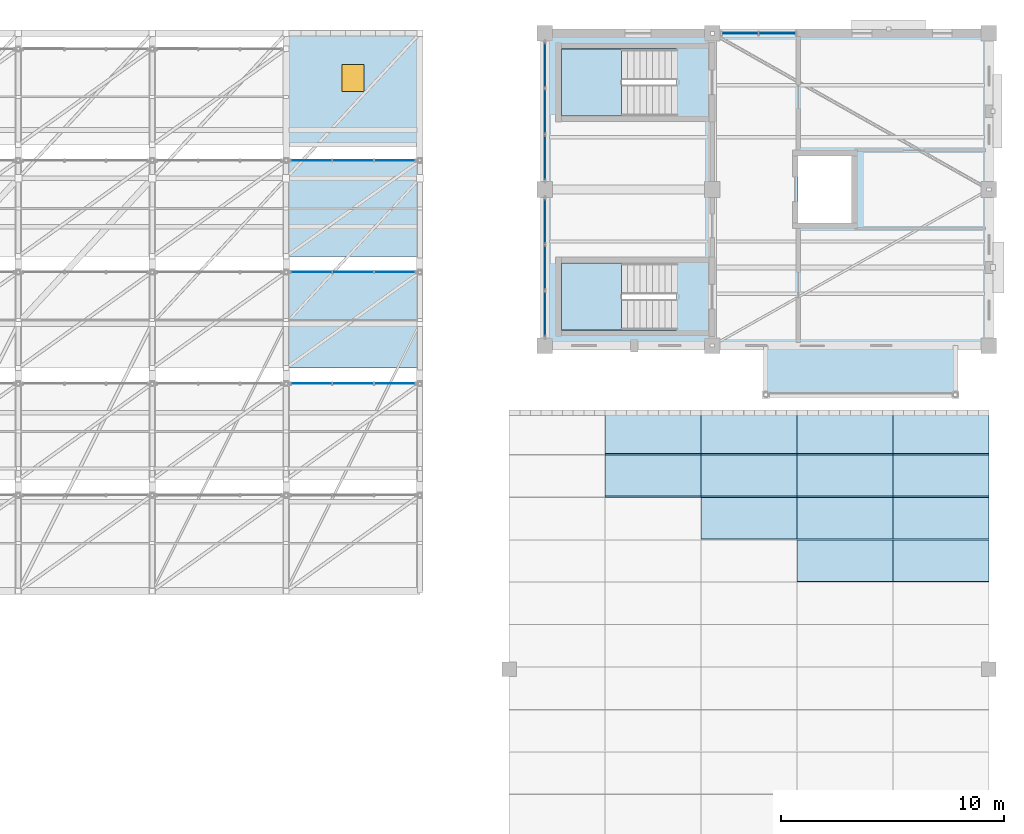
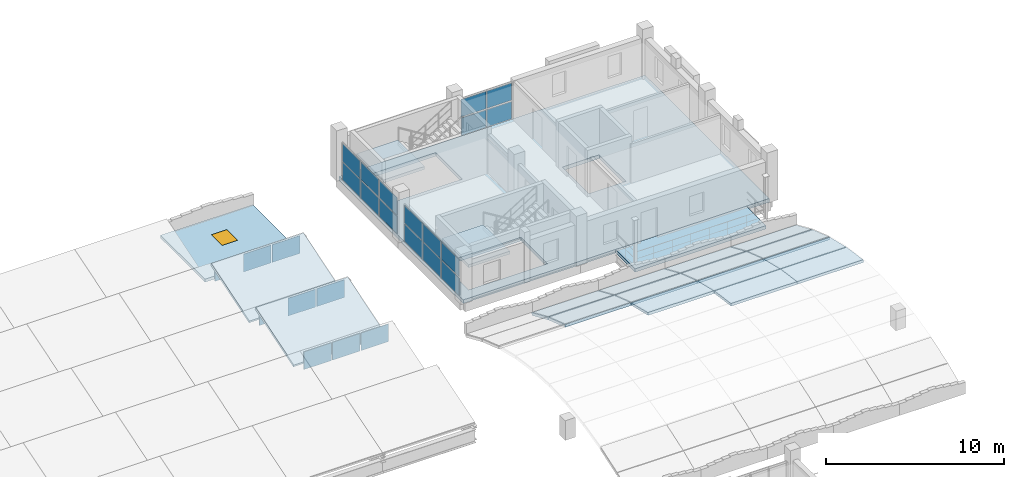
# One storey, part 29 of 48: 25 plates, 20 slabs, 1 window, 1 opening, 8 elements without a shape of their own.
"""IFC4 building model written with IfcOpenShell, lengths in metres."""

from ifc_helpers import new_model, si_unit, direction, frame, origin, origin_2d, place, context, subcontext, project, spatial, polyline, rectangle, outline, extrude, material, layer, layer_set, type_object, element, fill, aggregate, save


model = new_model("IFC4")

# Units and contexts
model_context = context("Model", 3, precision=1e-05, world=origin(), true_north=direction((0.0, 1.0)))
body_context = subcontext(model_context, "Body", "Model", "MODEL_VIEW")
ifc_project = project(units=[si_unit("LENGTHUNIT", "METRE"), si_unit("AREAUNIT", "SQUARE_METRE"), si_unit("VOLUMEUNIT", "CUBIC_METRE"), si_unit("PLANEANGLEUNIT", "RADIAN"), si_unit("MASSUNIT", "GRAM", prefix="KILO")], contexts=[model_context])

# Site, building, storey
site_placement = place(None, origin())
site = spatial("IfcSite", under=ifc_project, at=site_placement, CompositionType="ELEMENT")
building_placement = place(site_placement, origin())
building = spatial("IfcBuilding", under=site, at=building_placement, Name="Trellovar Central Fire Station", CompositionType="ELEMENT")
storey_placement = place(building_placement, frame((0.0, 0.0, 9.300048828125)))
storey = spatial("IfcBuildingStorey", under=building, at=storey_placement, Name="L03", CompositionType="ELEMENT", Elevation=9.300048828125)

# Curtain wall, plate
ifc_material_1 = material(Name="Thermally broken bronze anodized aluminum", Category="aluminium")
ifc_layer_1 = layer(ifc_material_1, 0.159912109375)
ifc_layer_set_1 = layer_set([ifc_layer_1], Name="Thermally broken bronze anodized aluminum")
curtain_wall_type_1 = type_object("IfcCurtainWallType", Name="CW-06", PredefinedType="NOTDEFINED", material=ifc_layer_set_1)
curtain_wall_1_placement = place(storey_placement, origin())
curtain_wall_1 = element("IfcCurtainWall", 1, at=curtain_wall_1_placement, inside=storey, type_object=curtain_wall_type_1, Name="V6 sawtooth north-light monitor 2-5", PredefinedType="NOTDEFINED")
ifc_material_2 = material(Name="Double low-E solar control insulated glazing", Category="glass")
ifc_layer_2 = layer(ifc_material_2, 0.031982421875)
ifc_layer_set_2 = layer_set([ifc_layer_2], Name="Double low-E solar control insulated glazing")
plate_type_1 = type_object("IfcPlateType", Name="CWP-GL1", PredefinedType="CURTAIN_PANEL", material=ifc_layer_set_2)
plate_1_placement = place(storey_placement, frame((134.36669921875, 57.300048828125, 0.2197265625), z_axis=(0.0, 0.0, 1.0), x_axis=(-1.0, 0.0, 0.0)))
plate_1 = element("IfcPlate", 2, at=plate_1_placement, type_object=plate_type_1, Name="CW3-L03-0140 panel 1-1", PredefinedType="CURTAIN_PANEL", context=body_context, shape_type="SweptSolid", body=[
    extrude(rectangle(XDim=1.78662109375, YDim=0.031982421875, at=origin_2d()), origin(), (0.0, 0.0, 1.0), 1.219970703125),
])

curtain_wall_2_placement = place(storey_placement, origin())
curtain_wall_2 = element("IfcCurtainWall", 3, at=curtain_wall_2_placement, inside=storey, type_object=curtain_wall_type_1, Name="V6 sawtooth north-light monitor 4-5", PredefinedType="NOTDEFINED")
plate_2_placement = place(storey_placement, frame((130.63330078125, 67.300048828125, 0.2197265625), z_axis=(0.0, 0.0, 1.0), x_axis=(-1.0, 0.0, 0.0)))
plate_2 = element("IfcPlate", 4, at=plate_2_placement, type_object=plate_type_1, Name="CW3-L03-0142 panel 3-1", PredefinedType="CURTAIN_PANEL", context=body_context, shape_type="SweptSolid", body=[
    extrude(rectangle(XDim=1.78662109375, YDim=0.031982421875, at=origin_2d()), origin(), (0.0, 0.0, 1.0), 1.219970703125),
])

ifc_material_3 = material(Name="Thermally broken bronze anodized aluminum", Category="aluminium")
ifc_layer_3 = layer(ifc_material_3, 0.159912109375)
ifc_layer_set_3 = layer_set([ifc_layer_3], Name="Thermally broken bronze anodized aluminum")
curtain_wall_type_2 = type_object("IfcCurtainWallType", Name="CW-08", PredefinedType="NOTDEFINED", material=ifc_layer_set_3)
curtain_wall_3_placement = place(storey_placement, origin())
curtain_wall_3 = element("IfcCurtainWall", 5, at=curtain_wall_3_placement, inside=storey, type_object=curtain_wall_type_2, Name="V2 L03 north lobby curtain wall", PredefinedType="NOTDEFINED")
plate_3_placement = place(storey_placement, frame((151.512451171875, 73.0, 1.31494140625), z_axis=(0.0, 0.0, 1.0), x_axis=(-1.0, 0.0, 0.0)))
plate_3 = element("IfcPlate", 6, at=plate_3_placement, type_object=plate_type_1, Name="CW3-L03-0159 panel 1-2", PredefinedType="CURTAIN_PANEL", context=body_context, shape_type="SweptSolid", body=[
    extrude(rectangle(XDim=1.594970703125, YDim=0.031982421875, at=origin_2d()), origin(), (0.0, 0.0, 1.0), 1.195068359375),
])

ifc_material_4 = material(Name="Thermally broken bronze anodized aluminum", Category="aluminium")
ifc_layer_4 = layer(ifc_material_4, 0.159912109375)
ifc_layer_set_4 = layer_set([ifc_layer_4], Name="Thermally broken bronze anodized aluminum")
curtain_wall_type_3 = type_object("IfcCurtainWallType", Name="CW-07", PredefinedType="NOTDEFINED", material=ifc_layer_set_4)
curtain_wall_4_placement = place(storey_placement, origin())
curtain_wall_4 = element("IfcCurtainWall", 7, at=curtain_wall_4_placement, inside=storey, type_object=curtain_wall_type_3, Name="V2 L03 west drill yard curtain wall", PredefinedType="NOTDEFINED")
plate_4_placement = place(storey_placement, frame((141.10009765625, 71.573486328125, 1.31494140625), z_axis=(0.0, 0.0, 1.0), x_axis=(0.0, 1.0, 0.0)))
plate_4 = element("IfcPlate", 8, at=plate_4_placement, type_object=plate_type_1, Name="CW3-L03-0161 panel 3-2", PredefinedType="CURTAIN_PANEL", context=body_context, shape_type="SweptSolid", body=[
    extrude(rectangle(XDim=1.993408203125, YDim=0.031982421875, at=origin_2d()), origin(), (0.0, 0.0, 1.0), 1.195068359375),
])

# Plate
ifc_material_5 = material(Name="Double low-E solar control insulated glazing", Category="glass")
ifc_layer_5 = layer(ifc_material_5, 0.035888671875)
ifc_layer_set_5 = layer_set([ifc_layer_5], Name="Double low-E solar control insulated glazing")
plate_type_2 = type_object("IfcPlateType", Name="CWP-GL2", PredefinedType="CURTAIN_PANEL", material=ifc_layer_set_5)
plate_5_placement = place(storey_placement, frame((132.5, 57.300048828125, 0.2197265625), z_axis=(0.0, 0.0, 1.0), x_axis=(-1.0, 0.0, 0.0)))
plate_5 = element("IfcPlate", 9, at=plate_5_placement, type_object=plate_type_2, Name="CW3-L03-0140 panel 2-1", PredefinedType="CURTAIN_PANEL", context=body_context, shape_type="SweptSolid", body=[
    extrude(rectangle(XDim=1.78662109375, YDim=0.035888671875, at=origin_2d()), origin(), (0.0, 0.0, 1.0), 1.219970703125),
])

# Curtain wall, plate
curtain_wall_5_placement = place(storey_placement, origin())
curtain_wall_5 = element("IfcCurtainWall", 10, at=curtain_wall_5_placement, inside=storey, type_object=curtain_wall_type_1, Name="V6 sawtooth north-light monitor 3-5", PredefinedType="NOTDEFINED")
plate_6_placement = place(storey_placement, frame((134.36669921875, 62.300048828125, 0.2197265625), z_axis=(0.0, 0.0, 1.0), x_axis=(-1.0, 0.0, 0.0)))
plate_6 = element("IfcPlate", 11, at=plate_6_placement, type_object=plate_type_2, Name="CW3-L03-0141 panel 1-1", PredefinedType="CURTAIN_PANEL", context=body_context, shape_type="SweptSolid", body=[
    extrude(rectangle(XDim=1.78662109375, YDim=0.035888671875, at=origin_2d()), origin(), (0.0, 0.0, 1.0), 1.219970703125),
])

# Plate
plate_7_placement = place(storey_placement, frame((149.83740234375, 73.0, 1.31494140625), z_axis=(0.0, 0.0, 1.0), x_axis=(-1.0, 0.0, 0.0)))
plate_7 = element("IfcPlate", 12, at=plate_7_placement, type_object=plate_type_2, Name="CW3-L03-0159 panel 2-2", PredefinedType="CURTAIN_PANEL", context=body_context, shape_type="SweptSolid", body=[
    extrude(rectangle(XDim=1.594970703125, YDim=0.035888671875, at=origin_2d()), origin(), (0.0, 0.0, 1.0), 1.195068359375),
])

# Curtain wall, plate
curtain_wall_6_placement = place(storey_placement, origin())
curtain_wall_6 = element("IfcCurtainWall", 13, at=curtain_wall_6_placement, inside=storey, type_object=curtain_wall_type_3, Name="V2 L03 west drill yard curtain wall", PredefinedType="NOTDEFINED")
plate_8_placement = place(storey_placement, frame((141.10009765625, 60.4267578125, 1.31494140625), z_axis=(0.0, 0.0, 1.0), x_axis=(0.0, 1.0, 0.0)))
plate_8 = element("IfcPlate", 14, at=plate_8_placement, type_object=plate_type_2, Name="CW3-L03-0160 panel 1-2", PredefinedType="CURTAIN_PANEL", context=body_context, shape_type="SweptSolid", body=[
    extrude(rectangle(XDim=1.993408203125, YDim=0.035888671875, at=origin_2d()), origin(), (0.0, 0.0, 1.0), 1.195068359375),
])

# Plate
ifc_material_6 = material(Name="Double low-E solar control insulated glazing", Category="glass")
ifc_layer_6 = layer(ifc_material_6, 0.033935546875)
ifc_layer_set_6 = layer_set([ifc_layer_6], Name="Double low-E solar control insulated glazing")
plate_type_3 = type_object("IfcPlateType", Name="CWP-GL3", PredefinedType="CURTAIN_PANEL", material=ifc_layer_set_6)
plate_9_placement = place(storey_placement, frame((130.63330078125, 57.300048828125, 0.2197265625), z_axis=(0.0, 0.0, 1.0), x_axis=(-1.0, 0.0, 0.0)))
plate_9 = element("IfcPlate", 15, at=plate_9_placement, type_object=plate_type_3, Name="CW3-L03-0140 panel 3-1", PredefinedType="CURTAIN_PANEL", context=body_context, shape_type="SweptSolid", body=[
    extrude(rectangle(XDim=1.78662109375, YDim=0.033935546875, at=origin_2d()), origin(), (0.0, 0.0, 1.0), 1.219970703125),
])

aggregate(curtain_wall_1, [plate_1, plate_5, plate_9])

plate_10_placement = place(storey_placement, frame((132.5, 62.300048828125, 0.2197265625), z_axis=(0.0, 0.0, 1.0), x_axis=(-1.0, 0.0, 0.0)))
plate_10 = element("IfcPlate", 16, at=plate_10_placement, type_object=plate_type_3, Name="CW3-L03-0141 panel 2-1", PredefinedType="CURTAIN_PANEL", context=body_context, shape_type="SweptSolid", body=[
    extrude(rectangle(XDim=1.78662109375, YDim=0.033935546875, at=origin_2d()), origin(), (0.0, 0.0, 1.0), 1.219970703125),
])

plate_11_placement = place(storey_placement, frame((134.36669921875, 67.300048828125, 0.2197265625), z_axis=(0.0, 0.0, 1.0), x_axis=(-1.0, 0.0, 0.0)))
plate_11 = element("IfcPlate", 17, at=plate_11_placement, type_object=plate_type_3, Name="CW3-L03-0142 panel 1-1", PredefinedType="CURTAIN_PANEL", context=body_context, shape_type="SweptSolid", body=[
    extrude(rectangle(XDim=1.78662109375, YDim=0.033935546875, at=origin_2d()), origin(), (0.0, 0.0, 1.0), 1.219970703125),
])

plate_12_placement = place(storey_placement, frame((141.10009765625, 62.5, 1.31494140625), z_axis=(0.0, 0.0, 1.0), x_axis=(0.0, 1.0, 0.0)))
plate_12 = element("IfcPlate", 18, at=plate_12_placement, type_object=plate_type_3, Name="CW3-L03-0160 panel 2-2", PredefinedType="CURTAIN_PANEL", context=body_context, shape_type="SweptSolid", body=[
    extrude(rectangle(XDim=1.993408203125, YDim=0.033935546875, at=origin_2d()), origin(), (0.0, 0.0, 1.0), 1.195068359375),
])

plate_13_placement = place(storey_placement, frame((141.10009765625, 67.426513671875, 1.31494140625), z_axis=(0.0, 0.0, 1.0), x_axis=(0.0, 1.0, 0.0)))
plate_13 = element("IfcPlate", 19, at=plate_13_placement, type_object=plate_type_3, Name="CW3-L03-0161 panel 1-2", PredefinedType="CURTAIN_PANEL", context=body_context, shape_type="SweptSolid", body=[
    extrude(rectangle(XDim=1.993408203125, YDim=0.033935546875, at=origin_2d()), origin(), (0.0, 0.0, 1.0), 1.195068359375),
])

ifc_material_7 = material(Name="Double low-E solar control insulated glazing", Category="glass")
ifc_layer_7 = layer(ifc_material_7, 0.030029296875)
ifc_layer_set_7 = layer_set([ifc_layer_7], Name="Double low-E solar control insulated glazing")
plate_type_4 = type_object("IfcPlateType", Name="CWP-GL4", PredefinedType="CURTAIN_PANEL", material=ifc_layer_set_7)
plate_14_placement = place(storey_placement, frame((130.63330078125, 62.300048828125, 0.2197265625), z_axis=(0.0, 0.0, 1.0), x_axis=(-1.0, 0.0, 0.0)))
plate_14 = element("IfcPlate", 20, at=plate_14_placement, type_object=plate_type_4, Name="CW3-L03-0141 panel 3-1", PredefinedType="CURTAIN_PANEL", context=body_context, shape_type="SweptSolid", body=[
    extrude(rectangle(XDim=1.78662109375, YDim=0.030029296875, at=origin_2d()), origin(), (0.0, 0.0, 1.0), 1.219970703125),
])

aggregate(curtain_wall_5, [plate_6, plate_10, plate_14])

plate_15_placement = place(storey_placement, frame((132.5, 67.300048828125, 0.2197265625), z_axis=(0.0, 0.0, 1.0), x_axis=(-1.0, 0.0, 0.0)))
plate_15 = element("IfcPlate", 21, at=plate_15_placement, type_object=plate_type_4, Name="CW3-L03-0142 panel 2-1", PredefinedType="CURTAIN_PANEL", context=body_context, shape_type="SweptSolid", body=[
    extrude(rectangle(XDim=1.78662109375, YDim=0.030029296875, at=origin_2d()), origin(), (0.0, 0.0, 1.0), 1.219970703125),
])

aggregate(curtain_wall_2, [plate_11, plate_15, plate_2])

plate_16_placement = place(storey_placement, frame((141.10009765625, 64.573486328125, 1.31494140625), z_axis=(0.0, 0.0, 1.0), x_axis=(0.0, 1.0, 0.0)))
plate_16 = element("IfcPlate", 22, at=plate_16_placement, type_object=plate_type_4, Name="CW3-L03-0160 panel 3-2", PredefinedType="CURTAIN_PANEL", context=body_context, shape_type="SweptSolid", body=[
    extrude(rectangle(XDim=1.993408203125, YDim=0.030029296875, at=origin_2d()), origin(), (0.0, 0.0, 1.0), 1.195068359375),
])

plate_17_placement = place(storey_placement, frame((141.10009765625, 69.5, 1.31494140625), z_axis=(0.0, 0.0, 1.0), x_axis=(0.0, 1.0, 0.0)))
plate_17 = element("IfcPlate", 23, at=plate_17_placement, type_object=plate_type_4, Name="CW3-L03-0161 panel 2-2", PredefinedType="CURTAIN_PANEL", context=body_context, shape_type="SweptSolid", body=[
    extrude(rectangle(XDim=1.993408203125, YDim=0.030029296875, at=origin_2d()), origin(), (0.0, 0.0, 1.0), 1.195068359375),
])

ifc_material_8 = material(Name="Glazed ceramic trencadis and terracotta panel", Category="masonry")
ifc_layer_8 = layer(ifc_material_8, 0.048095703125)
ifc_layer_set_8 = layer_set([ifc_layer_8], Name="Glazed ceramic trencadis and terracotta panel")
plate_type_5 = type_object("IfcPlateType", Name="CWP-SP1", PredefinedType="CURTAIN_PANEL", material=ifc_layer_set_8)
plate_18_placement = place(storey_placement, frame((149.83740234375, 73.0, 0.0400390625), z_axis=(0.0, 0.0, 1.0), x_axis=(-1.0, 0.0, 0.0)))
plate_18 = element("IfcPlate", 24, at=plate_18_placement, type_object=plate_type_5, Name="CW3-L03-0159 panel 2-1", PredefinedType="CURTAIN_PANEL", context=body_context, shape_type="SweptSolid", body=[
    extrude(rectangle(XDim=1.594970703125, YDim=0.048095703125, at=origin_2d()), origin(), (0.0, 0.0, 1.0), 1.195068359375),
])

plate_19_placement = place(storey_placement, frame((141.10009765625, 60.4267578125, 0.0400390625), z_axis=(0.0, 0.0, 1.0), x_axis=(0.0, 1.0, 0.0)))
plate_19 = element("IfcPlate", 25, at=plate_19_placement, type_object=plate_type_5, Name="CW3-L03-0160 panel 1-1", PredefinedType="CURTAIN_PANEL", context=body_context, shape_type="SweptSolid", body=[
    extrude(rectangle(XDim=1.993408203125, YDim=0.048095703125, at=origin_2d()), origin(), (0.0, 0.0, 1.0), 1.195068359375),
])

plate_20_placement = place(storey_placement, frame((141.10009765625, 64.573486328125, 0.0400390625), z_axis=(0.0, 0.0, 1.0), x_axis=(0.0, 1.0, 0.0)))
plate_20 = element("IfcPlate", 26, at=plate_20_placement, type_object=plate_type_5, Name="CW3-L03-0160 panel 3-1", PredefinedType="CURTAIN_PANEL", context=body_context, shape_type="SweptSolid", body=[
    extrude(rectangle(XDim=1.993408203125, YDim=0.048095703125, at=origin_2d()), origin(), (0.0, 0.0, 1.0), 1.195068359375),
])

plate_21_placement = place(storey_placement, frame((141.10009765625, 69.5, 0.0400390625), z_axis=(0.0, 0.0, 1.0), x_axis=(0.0, 1.0, 0.0)))
plate_21 = element("IfcPlate", 27, at=plate_21_placement, type_object=plate_type_5, Name="CW3-L03-0161 panel 2-1", PredefinedType="CURTAIN_PANEL", context=body_context, shape_type="SweptSolid", body=[
    extrude(rectangle(XDim=1.993408203125, YDim=0.048095703125, at=origin_2d()), origin(), (0.0, 0.0, 1.0), 1.195068359375),
])

ifc_material_9 = material(Name="Glazed ceramic trencadis and terracotta panel", Category="masonry")
ifc_layer_9 = layer(ifc_material_9, 0.044921875)
ifc_layer_set_9 = layer_set([ifc_layer_9], Name="Glazed ceramic trencadis and terracotta panel")
plate_type_6 = type_object("IfcPlateType", Name="CWP-SP2", PredefinedType="CURTAIN_PANEL", material=ifc_layer_set_9)
plate_22_placement = place(storey_placement, frame((151.512451171875, 73.0, 0.0400390625), z_axis=(0.0, 0.0, 1.0), x_axis=(-1.0, 0.0, 0.0)))
plate_22 = element("IfcPlate", 28, at=plate_22_placement, type_object=plate_type_6, Name="CW3-L03-0159 panel 1-1", PredefinedType="CURTAIN_PANEL", context=body_context, shape_type="SweptSolid", body=[
    extrude(rectangle(XDim=1.594970703125, YDim=0.044921875, at=origin_2d()), origin(), (0.0, 0.0, 1.0), 1.195068359375),
])

aggregate(curtain_wall_3, [plate_22, plate_3, plate_18, plate_7])

plate_23_placement = place(storey_placement, frame((141.10009765625, 62.5, 0.0400390625), z_axis=(0.0, 0.0, 1.0), x_axis=(0.0, 1.0, 0.0)))
plate_23 = element("IfcPlate", 29, at=plate_23_placement, type_object=plate_type_6, Name="CW3-L03-0160 panel 2-1", PredefinedType="CURTAIN_PANEL", context=body_context, shape_type="SweptSolid", body=[
    extrude(rectangle(XDim=1.993408203125, YDim=0.044921875, at=origin_2d()), origin(), (0.0, 0.0, 1.0), 1.195068359375),
])

aggregate(curtain_wall_6, [plate_19, plate_8, plate_23, plate_12, plate_20, plate_16])

plate_24_placement = place(storey_placement, frame((141.10009765625, 67.426513671875, 0.0400390625), z_axis=(0.0, 0.0, 1.0), x_axis=(0.0, 1.0, 0.0)))
plate_24 = element("IfcPlate", 30, at=plate_24_placement, type_object=plate_type_6, Name="CW3-L03-0161 panel 1-1", PredefinedType="CURTAIN_PANEL", context=body_context, shape_type="SweptSolid", body=[
    extrude(rectangle(XDim=1.993408203125, YDim=0.044921875, at=origin_2d()), origin(), (0.0, 0.0, 1.0), 1.195068359375),
])

plate_25_placement = place(storey_placement, frame((141.10009765625, 71.573486328125, 0.0400390625), z_axis=(0.0, 0.0, 1.0), x_axis=(0.0, 1.0, 0.0)))
plate_25 = element("IfcPlate", 31, at=plate_25_placement, type_object=plate_type_6, Name="CW3-L03-0161 panel 3-1", PredefinedType="CURTAIN_PANEL", context=body_context, shape_type="SweptSolid", body=[
    extrude(rectangle(XDim=1.993408203125, YDim=0.044921875, at=origin_2d()), origin(), (0.0, 0.0, 1.0), 1.195068359375),
])

aggregate(curtain_wall_4, [plate_24, plate_13, plate_21, plate_17, plate_25, plate_4])

# Slab
ifc_material_10 = material(Name="Concrete C40/50", Category="concrete")
ifc_layer_10 = layer(ifc_material_10, 0.25)
ifc_layer_set_10 = layer_set([ifc_layer_10], Name="Concrete C40/50")
slab_type_1 = type_object("IfcSlabType", Name="SLB-FL250", PredefinedType="FLOOR", material=ifc_layer_set_10)
slab_1_placement = place(storey_placement, frame((0.0, 0.0, -0.25)))
element("IfcSlab", 32, at=slab_1_placement, inside=storey, type_object=slab_type_1, Name="V2 Drill Tower L03 training deck slab", PredefinedType="FLOOR", context=body_context, shape_type="SweptSolid", body=[
    extrude(outline(polyline([(141.10009765625, 59.0), (161.0, 59.0), (161.0, 73.0), (141.10009765625, 73.0), (141.10009765625, 59.0)]), holes=[polyline([(146.989990234375, 62.699951171875), (141.85009765625, 62.699951171875), (141.85009765625, 59.699951171875), (146.989990234375, 59.699951171875), (146.989990234375, 62.699951171875)]), polyline([(146.989990234375, 72.300048828125), (141.85009765625, 72.300048828125), (141.85009765625, 69.300048828125), (146.989990234375, 69.300048828125), (146.989990234375, 72.300048828125)]), polyline([(152.449951171875, 64.5), (154.85009765625, 64.5), (154.85009765625, 67.5), (152.449951171875, 67.5), (152.449951171875, 64.5)])]), origin(), (0.0, 0.0, 1.0), 0.25),
])

# Stair, slab
ifc_material_11 = material(Name="Concrete C40/50", Category="concrete")
stair_type = type_object("IfcStairType", Name="ST-R1725", PredefinedType="HALF_TURN_STAIR", material=ifc_material_11)
stair_1_placement = place(storey_placement, origin())
stair_1 = element("IfcStair", 33, at=stair_1_placement, inside=storey, type_object=stair_type, Name="L03 Protected exit stair ST-05", PredefinedType="HALF_TURN_STAIR")
ifc_material_12 = material(Name="Concrete C40/50", Category="concrete")
ifc_layer_11 = layer(ifc_material_12, 0.199951171875)
ifc_layer_set_11 = layer_set([ifc_layer_11], Name="Concrete C40/50")
slab_type_2 = type_object("IfcSlabType", Name="SLB-LND", PredefinedType="LANDING", material=ifc_layer_set_11)
slab_2_placement = place(storey_placement, frame((0.0, 0.0, 1.52490234375)))
slab_2 = element("IfcSlab", 34, at=slab_2_placement, type_object=slab_type_2, Name="ST-05 landing 1", PredefinedType="LANDING", context=body_context, shape_type="SweptSolid", body=[
    extrude(outline(polyline([(144.530029296875, 62.699951171875), (141.85009765625, 62.699951171875), (141.85009765625, 59.699951171875), (144.530029296875, 59.699951171875), (144.530029296875, 62.699951171875)])), origin(), (0.0, 0.0, 1.0), 0.199951171875),
])
aggregate(stair_1, [slab_2])

stair_2_placement = place(storey_placement, origin())
stair_2 = element("IfcStair", 35, at=stair_2_placement, inside=storey, type_object=stair_type, Name="L03 Protected exit stair ST-06", PredefinedType="HALF_TURN_STAIR")
slab_3_placement = place(storey_placement, frame((0.0, 0.0, 1.52490234375)))
slab_3 = element("IfcSlab", 36, at=slab_3_placement, type_object=slab_type_2, Name="ST-06 landing 1", PredefinedType="LANDING", context=body_context, shape_type="SweptSolid", body=[
    extrude(outline(polyline([(144.530029296875, 72.300048828125), (141.85009765625, 72.300048828125), (141.85009765625, 69.300048828125), (144.530029296875, 69.300048828125), (144.530029296875, 72.300048828125)])), origin(), (0.0, 0.0, 1.0), 0.199951171875),
])
aggregate(stair_2, [slab_3])

# Slab, opening, window
ifc_material_13 = material(Name="Concrete C40/50", Category="concrete")
ifc_layer_12 = layer(ifc_material_13, 0.199951171875)
ifc_layer_set_12 = layer_set([ifc_layer_12], Name="Concrete C40/50")
slab_type_3 = type_object("IfcSlabType", Name="SLB-RF200", PredefinedType="ROOF", material=ifc_layer_set_12)
slab_4_placement = place(storey_placement, frame((0.0, 0.0, -0.179931640625)))
slab_4 = element("IfcSlab", 37, at=slab_4_placement, inside=storey, type_object=slab_type_3, Name="V6 mechanical maintenance roof access slab", PredefinedType="ROOF", context=body_context, shape_type="SweptSolid", body=[
    extrude(outline(polyline([(129.5, 68.0), (135.5, 68.0), (135.5, 73.0), (129.5, 73.0), (129.5, 68.0)])), origin(), (0.0, 0.0, 1.0), 0.199951171875),
])
opening_placement = place(slab_4_placement, frame((132.5, 71.0, 0.0)))
opening = element("IfcOpeningElement", 38, at=opening_placement, cuts=slab_4, Name="Opening RH-1", PredefinedType="OPENING", context=body_context, shape_type="SweptSolid", body=[
    extrude(rectangle(XDim=1.0, YDim=1.199951171875, at=origin_2d()), origin(), (0.0, 0.0, 1.0), 0.199951171875),
])
ifc_material_14 = material(Name="Hollow galvanized steel with acoustic core", Category="steel")
window_type = type_object("IfcWindowType", Name="WIN-RH1", PartitioningType="SINGLE_PANEL", PredefinedType="SKYLIGHT", material=ifc_material_14)
window_placement = place(opening_placement, frame((0.0, 0.0, 0.14990234375)))
window = element("IfcWindow", 39, at=window_placement, inside=storey, type_object=window_type, Name="V6 roof maintenance access hatch RH-1", OverallHeight=1.199951171875, OverallWidth=1.0, PartitioningType="SINGLE_PANEL", PredefinedType="SKYLIGHT", context=body_context, shape_type="SweptSolid", body=[
    extrude(rectangle(XDim=1.0, YDim=1.199951171875, at=origin_2d()), origin(), (0.0, 0.0, 1.0), 0.050048828125),
])
fill(opening, window)

# Slabs
ifc_material_15 = material(Name="Concrete C40/50", Category="concrete")
ifc_layer_13 = layer(ifc_material_15, 0.1650390625)
ifc_layer_set_13 = layer_set([ifc_layer_13], Name="Concrete C40/50")
slab_type_4 = type_object("IfcSlabType", Name="SLB-SAW165", PredefinedType="ROOF", material=ifc_layer_set_13)
for number, where, z_axis, x_axis, name in (
    (40, (129.5, 58.0, 0.179931640625), (0.0, -0.299554733308, 0.954079117135), (1.0, 0.0, 0.0), "V6 sawtooth roof shell 3-129"),
    (41, (129.5, 63.0, 0.179931640625), (0.0, -0.299554733308, 0.954079117135), (1.0, 0.0, 0.0), "V6 sawtooth roof shell 4-129"),
):
    element("IfcSlab", number, at=place(storey_placement, frame(where, z_axis=z_axis, x_axis=x_axis)), inside=storey, type_object=slab_type_4, Name=name, PredefinedType="ROOF", context=body_context, shape_type="SweptSolid", body=[
        extrude(outline(polyline([(0.0, 0.0), (6.0, 0.0), (6.0, 4.5070149329318765), (0.0, 4.5070149329318765), (0.0, 0.0)])), origin(), (0.0, 0.0, -1.0), 0.1650390625),
    ])
ifc_material_16 = material(Name="Concrete C40/50", Category="concrete")
ifc_layer_14 = layer(ifc_material_16, 0.22998046875)
ifc_layer_set_14 = layer_set([ifc_layer_14], Name="Concrete C40/50")
slab_type_5 = type_object("IfcSlabType", Name="SLB-TER230", PredefinedType="FLOOR", material=ifc_layer_set_14)
slab_5_placement = place(storey_placement, frame((0.0, 0.0, -0.22998046875)))
element("IfcSlab", 42, at=slab_5_placement, inside=storey, type_object=slab_type_5, Name="V2 L03 walkable outdoor terrace slab", PredefinedType="FLOOR", context=body_context, shape_type="SweptSolid", body=[
    extrude(outline(polyline([(151.0, 56.800048828125), (159.5, 56.800048828125), (159.5, 59.0), (151.0, 59.0), (151.0, 56.800048828125)])), origin(), (0.0, 0.0, 1.0), 0.22998046875),
])
ifc_material_17 = material(Name="Concrete C40/50", Category="concrete")
ifc_layer_15 = layer(ifc_material_17, 0.169921875)
ifc_layer_set_15 = layer_set([ifc_layer_15], Name="Concrete C40/50")
slab_type_6 = type_object("IfcSlabType", Name="SLB-VLT170", PredefinedType="ROOF", material=ifc_layer_set_15)
slab_6_placement = place(storey_placement, frame((143.800048828125, 52.256591796875, 1.45263671875), z_axis=(0.0, 0.320970555239, 0.947089173557), x_axis=(1.0, 0.0, 0.0)))
element("IfcSlab", 43, at=slab_6_placement, inside=storey, type_object=slab_type_6, Name="Catalan barrel vault strip V3-02-09", PredefinedType="ROOF", context=body_context, shape_type="SweptSolid", body=[
    extrude(outline(polyline([(0.0, 0.0), (4.300048828125, 0.0), (4.300048828125, 1.9441765835352818), (0.0, 1.9441765835352818), (0.0, 0.0)])), origin(), (0.0, 0.0, -1.0), 0.169921875),
])
slab_7_placement = place(storey_placement, frame((143.800048828125, 54.169921875, 0.79736328125), z_axis=(0.0, 0.3994825379, 0.916740804106), x_axis=(1.0, 0.0, 0.0)))
element("IfcSlab", 44, at=slab_7_placement, inside=storey, type_object=slab_type_6, Name="Catalan barrel vault strip V3-02-10", PredefinedType="ROOF", context=body_context, shape_type="SweptSolid", body=[
    extrude(outline(polyline([(0.0, 0.0), (4.300048828125, 0.0), (4.300048828125, 1.9941568999789239), (0.0, 1.9941568999789239), (0.0, 0.0)])), origin(), (0.0, 0.0, -1.0), 0.169921875),
])
slab_8_placement = place(storey_placement, frame((148.10009765625, 50.342041015625, 1.921630859375), z_axis=(0.0, 0.235248720614, 0.971935203318), x_axis=(1.0, 0.0, 0.0)))
element("IfcSlab", 45, at=slab_8_placement, inside=storey, type_object=slab_type_6, Name="Catalan barrel vault strip V3-03-08", PredefinedType="ROOF", context=body_context, shape_type="SweptSolid", body=[
    extrude(outline(polyline([(0.0, 0.0), (4.2998046875, 0.0), (4.2998046875, 1.9095481107314043), (0.0, 1.9095481107314043), (0.0, 0.0)])), origin(), (0.0, 0.0, -1.0), 0.169921875),
])
slab_9_placement = place(storey_placement, frame((148.10009765625, 52.256591796875, 1.45263671875), z_axis=(0.0, 0.320970555239, 0.947089173557), x_axis=(1.0, 0.0, 0.0)))
element("IfcSlab", 46, at=slab_9_placement, inside=storey, type_object=slab_type_6, Name="Catalan barrel vault strip V3-03-09", PredefinedType="ROOF", context=body_context, shape_type="SweptSolid", body=[
    extrude(outline(polyline([(0.0, 0.0), (4.2998046875, 0.0), (4.2998046875, 1.944176583535281), (0.0, 1.944176583535281), (0.0, 0.0)])), origin(), (0.0, 0.0, -1.0), 0.169921875),
])
slab_10_placement = place(storey_placement, frame((148.10009765625, 54.169921875, 0.79736328125), z_axis=(0.0, 0.3994825379, 0.916740804106), x_axis=(1.0, 0.0, 0.0)))
element("IfcSlab", 47, at=slab_10_placement, inside=storey, type_object=slab_type_6, Name="Catalan barrel vault strip V3-03-10", PredefinedType="ROOF", context=body_context, shape_type="SweptSolid", body=[
    extrude(outline(polyline([(0.0, 0.0), (4.2998046875, 0.0), (4.2998046875, 1.9941568999789239), (0.0, 1.9941568999789239), (0.0, 0.0)])), origin(), (0.0, 0.0, -1.0), 0.169921875),
])
slab_11_placement = place(storey_placement, frame((152.39990234375, 48.426513671875, 2.2041015625), z_axis=(0.0, 0.143680109205, 0.989624184334), x_axis=(1.0, 0.0, 0.0)))
element("IfcSlab", 48, at=slab_11_placement, inside=storey, type_object=slab_type_6, Name="Catalan barrel vault strip V3-04-07", PredefinedType="ROOF", context=body_context, shape_type="SweptSolid", body=[
    extrude(outline(polyline([(0.0, 0.0), (4.300048828125, 0.0), (4.300048828125, 1.8912048238891637), (0.0, 1.8912048238891637), (0.0, 0.0)])), origin(), (0.0, 0.0, -1.0), 0.169921875),
])
slab_12_placement = place(storey_placement, frame((152.39990234375, 50.342041015625, 1.921630859375), z_axis=(0.0, 0.235248720614, 0.971935203318), x_axis=(1.0, 0.0, 0.0)))
element("IfcSlab", 49, at=slab_12_placement, inside=storey, type_object=slab_type_6, Name="Catalan barrel vault strip V3-04-08", PredefinedType="ROOF", context=body_context, shape_type="SweptSolid", body=[
    extrude(outline(polyline([(0.0, 0.0), (4.300048828125, 0.0), (4.300048828125, 1.9095481107314045), (0.0, 1.9095481107314045), (0.0, 0.0)])), origin(), (0.0, 0.0, -1.0), 0.169921875),
])
slab_13_placement = place(storey_placement, frame((152.39990234375, 52.256591796875, 1.45263671875), z_axis=(0.0, 0.320970555239, 0.947089173557), x_axis=(1.0, 0.0, 0.0)))
element("IfcSlab", 50, at=slab_13_placement, inside=storey, type_object=slab_type_6, Name="Catalan barrel vault strip V3-04-09", PredefinedType="ROOF", context=body_context, shape_type="SweptSolid", body=[
    extrude(outline(polyline([(0.0, 0.0), (4.300048828125, 0.0), (4.300048828125, 1.9441765835352818), (0.0, 1.9441765835352818), (0.0, 0.0)])), origin(), (0.0, 0.0, -1.0), 0.169921875),
])
slab_14_placement = place(storey_placement, frame((152.39990234375, 54.169921875, 0.79736328125), z_axis=(0.0, 0.3994825379, 0.916740804106), x_axis=(1.0, 0.0, 0.0)))
element("IfcSlab", 51, at=slab_14_placement, inside=storey, type_object=slab_type_6, Name="Catalan barrel vault strip V3-04-10", PredefinedType="ROOF", context=body_context, shape_type="SweptSolid", body=[
    extrude(outline(polyline([(0.0, 0.0), (4.300048828125, 0.0), (4.300048828125, 1.9941568999789239), (0.0, 1.9941568999789239), (0.0, 0.0)])), origin(), (0.0, 0.0, -1.0), 0.169921875),
])
slab_15_placement = place(storey_placement, frame((156.699951171875, 48.426513671875, 2.2041015625), z_axis=(0.0, 0.143680109205, 0.989624184334), x_axis=(1.0, 0.0, 0.0)))
element("IfcSlab", 52, at=slab_15_placement, inside=storey, type_object=slab_type_6, Name="Catalan barrel vault strip V3-05-07", PredefinedType="ROOF", context=body_context, shape_type="SweptSolid", body=[
    extrude(outline(polyline([(0.0, 0.0), (4.300048828125, 0.0), (4.300048828125, 1.8912048238891637), (0.0, 1.8912048238891637), (0.0, 0.0)])), origin(), (0.0, 0.0, -1.0), 0.169921875),
])
slab_16_placement = place(storey_placement, frame((156.699951171875, 50.342041015625, 1.921630859375), z_axis=(0.0, 0.235248720614, 0.971935203318), x_axis=(1.0, 0.0, 0.0)))
element("IfcSlab", 53, at=slab_16_placement, inside=storey, type_object=slab_type_6, Name="Catalan barrel vault strip V3-05-08", PredefinedType="ROOF", context=body_context, shape_type="SweptSolid", body=[
    extrude(outline(polyline([(0.0, 0.0), (4.300048828125, 0.0), (4.300048828125, 1.9095481107314045), (0.0, 1.9095481107314045), (0.0, 0.0)])), origin(), (0.0, 0.0, -1.0), 0.169921875),
])
slab_17_placement = place(storey_placement, frame((156.699951171875, 52.256591796875, 1.45263671875), z_axis=(0.0, 0.320970555239, 0.947089173557), x_axis=(1.0, 0.0, 0.0)))
element("IfcSlab", 54, at=slab_17_placement, inside=storey, type_object=slab_type_6, Name="Catalan barrel vault strip V3-05-09", PredefinedType="ROOF", context=body_context, shape_type="SweptSolid", body=[
    extrude(outline(polyline([(0.0, 0.0), (4.300048828125, 0.0), (4.300048828125, 1.9441765835352818), (0.0, 1.9441765835352818), (0.0, 0.0)])), origin(), (0.0, 0.0, -1.0), 0.169921875),
])
slab_18_placement = place(storey_placement, frame((156.699951171875, 54.169921875, 0.79736328125), z_axis=(0.0, 0.3994825379, 0.916740804106), x_axis=(1.0, 0.0, 0.0)))
element("IfcSlab", 55, at=slab_18_placement, inside=storey, type_object=slab_type_6, Name="Catalan barrel vault strip V3-05-10", PredefinedType="ROOF", context=body_context, shape_type="SweptSolid", body=[
    extrude(outline(polyline([(0.0, 0.0), (4.300048828125, 0.0), (4.300048828125, 1.9941568999789239), (0.0, 1.9941568999789239), (0.0, 0.0)])), origin(), (0.0, 0.0, -1.0), 0.169921875),
])

save(model, "model.ifc")
